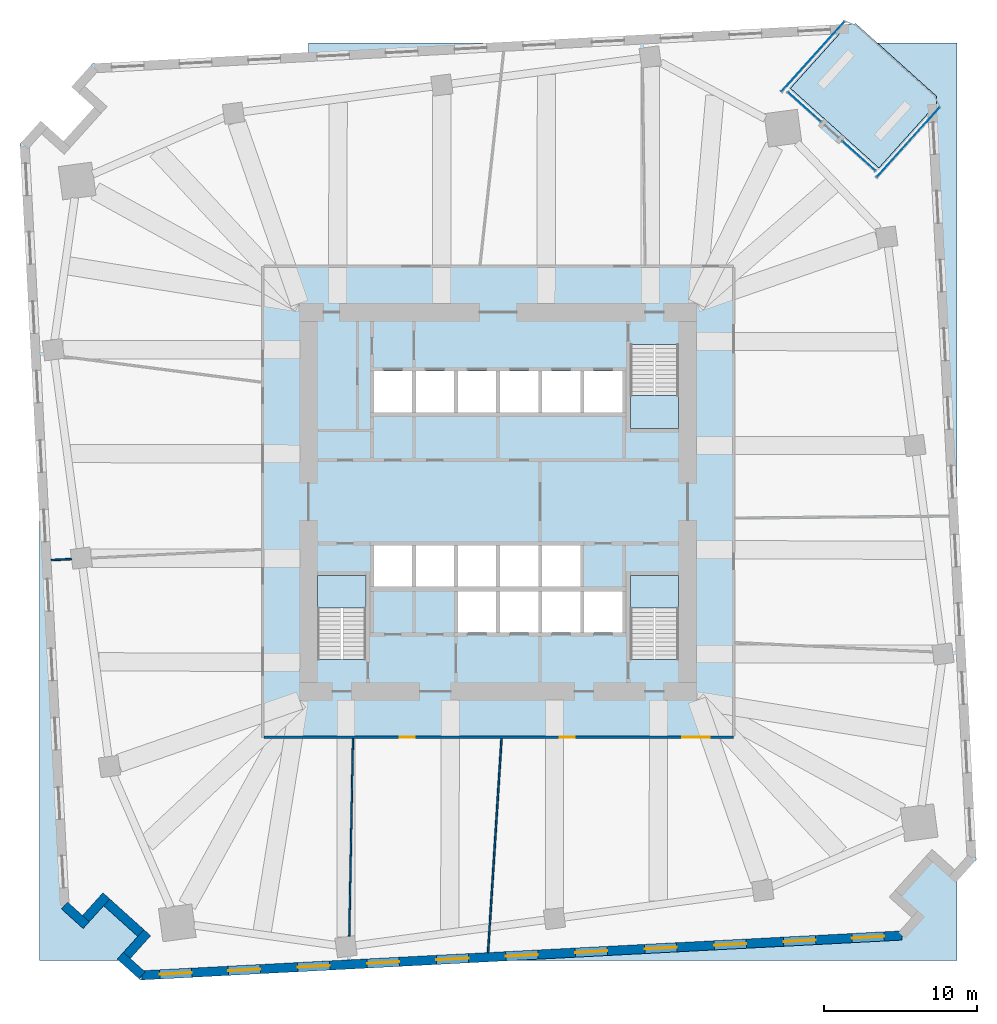
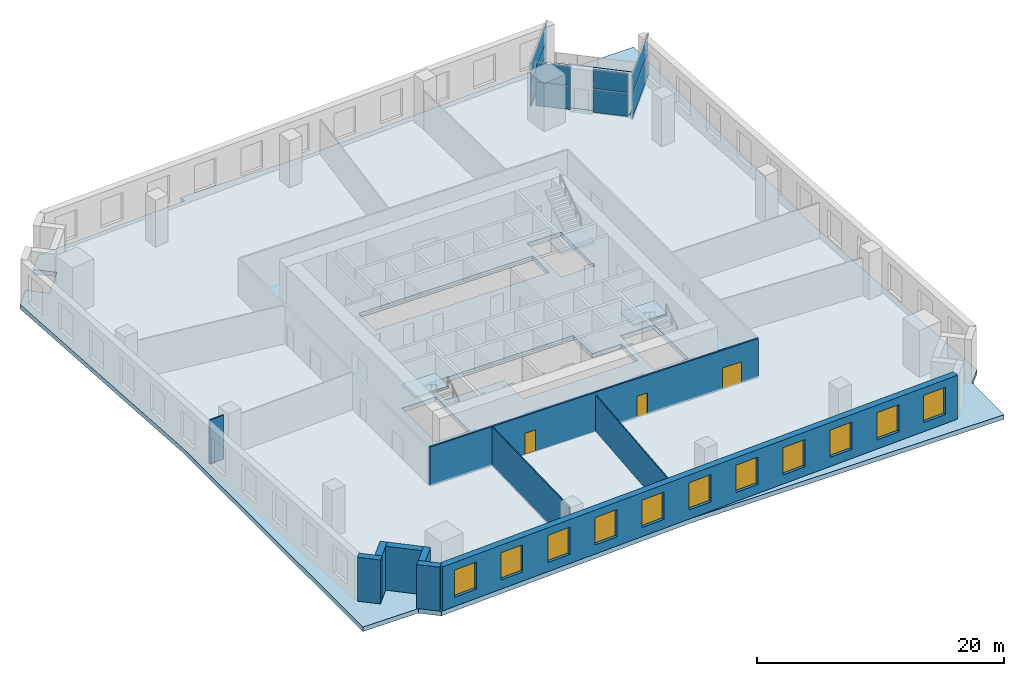
# One storey, part 3 of 10: 11 windows, 10 walls, 8 plates, 5 slabs, 3 doors, 14 openings, 7 elements without a shape of their own.
"""IFC4 building model written with IfcOpenShell, lengths in metres."""

from ifc_helpers import new_model, si_unit, direction, frame, frame_2d, origin, origin_2d, place, context, subcontext, project, spatial, polyline, rectangle, outline, extrude, material, layer, layer_set, type_object, element, fill, aggregate, save


model = new_model("IFC4")

# Units and contexts
model_context = context("Model", 3, precision=1e-05, world=origin(), true_north=direction((0.0, 1.0)))
body_context = subcontext(model_context, "Body", "Model", "MODEL_VIEW")
ifc_project = project(units=[si_unit("LENGTHUNIT", "METRE"), si_unit("AREAUNIT", "SQUARE_METRE"), si_unit("VOLUMEUNIT", "CUBIC_METRE"), si_unit("PLANEANGLEUNIT", "RADIAN"), si_unit("MASSUNIT", "GRAM", prefix="KILO")], contexts=[model_context])

# Site, building, storey
site_placement = place(None, origin())
site = spatial("IfcSite", under=ifc_project, at=site_placement, CompositionType="ELEMENT")
building_placement = place(site_placement, origin())
building = spatial("IfcBuilding", under=site, at=building_placement, Name="Dilmun Exchange Tower", CompositionType="ELEMENT")
storey_placement = place(building_placement, frame((0.0, 0.0, 22.5)))
storey = spatial("IfcBuildingStorey", under=building, at=storey_placement, Name="L05", CompositionType="ELEMENT", Elevation=22.5)

# Stair, slab
ifc_material_1 = material(Name="Concrete C40/50", Category="concrete")
stair_type = type_object("IfcStairType", Name="Exit stair 1500 half-turn", PredefinedType="HALF_TURN_STAIR", material=ifc_material_1)
stair_1_placement = place(storey_placement, origin())
stair_1 = element("IfcStair", 1, at=stair_1_placement, inside=storey, type_object=stair_type, Name="L05 Protected exit stair ST1", PredefinedType="HALF_TURN_STAIR")
ifc_layer_1 = layer(ifc_material_1, 0.199951171875)
ifc_layer_set_1 = layer_set([ifc_layer_1], Name="Concrete C40/50")
slab_type_1 = type_object("IfcSlabType", Name="Exit stair landing 200", PredefinedType="LANDING", material=ifc_layer_set_1)
slab_1_placement = place(storey_placement, frame((0.0, 0.0, 2.199951171875)))
slab_1 = element("IfcSlab", 2, at=slab_1_placement, type_object=slab_type_1, Name="ST1 landing 1", PredefinedType="LANDING", context=body_context, shape_type="SweptSolid", body=[
    extrude(outline(polyline([(8.64990234375, 6.93994140625), (8.64990234375, 4.800048828125), (11.800048828125, 4.800048828125), (11.800048828125, 6.93994140625), (8.64990234375, 6.93994140625)])), origin(), (0.0, 0.0, 1.0), 0.199951171875),
])
aggregate(stair_1, [slab_1])

stair_2_placement = place(storey_placement, origin())
stair_2 = element("IfcStair", 3, at=stair_2_placement, inside=storey, type_object=stair_type, Name="L05 Protected exit stair ST2", PredefinedType="HALF_TURN_STAIR")
slab_2_placement = place(storey_placement, frame((0.0, 0.0, 2.199951171875)))
slab_2 = element("IfcSlab", 4, at=slab_2_placement, type_object=slab_type_1, Name="ST2 landing 1", PredefinedType="LANDING", context=body_context, shape_type="SweptSolid", body=[
    extrude(outline(polyline([(-8.64990234375, -6.93994140625), (-8.64990234375, -4.800048828125), (-11.800048828125, -4.800048828125), (-11.800048828125, -6.93994140625), (-8.64990234375, -6.93994140625)])), origin(), (0.0, 0.0, 1.0), 0.199951171875),
])
aggregate(stair_2, [slab_2])

stair_3_placement = place(storey_placement, origin())
stair_3 = element("IfcStair", 5, at=stair_3_placement, inside=storey, type_object=stair_type, Name="L05 Protected exit stair ST3", PredefinedType="HALF_TURN_STAIR")
slab_3_placement = place(storey_placement, frame((0.0, 0.0, 2.199951171875)))
slab_3 = element("IfcSlab", 6, at=slab_3_placement, type_object=slab_type_1, Name="ST3 landing 1", PredefinedType="LANDING", context=body_context, shape_type="SweptSolid", body=[
    extrude(outline(polyline([(11.800048828125, -6.93994140625), (11.800048828125, -4.800048828125), (8.64990234375, -4.800048828125), (8.64990234375, -6.93994140625), (11.800048828125, -6.93994140625)])), origin(), (0.0, 0.0, 1.0), 0.199951171875),
])
aggregate(stair_3, [slab_3])

# Curtain wall, plates
ifc_material_2 = material(Name="Anodised aluminium and clear glass", Category="aluminium")
curtain_wall_type = type_object("IfcCurtainWallType", Name="Garden corner glazing", PredefinedType="NOTDEFINED", material=ifc_material_2)
curtain_wall_1_placement = place(storey_placement, origin())
curtain_wall_1 = element("IfcCurtainWall", 7, at=curtain_wall_1_placement, inside=storey, type_object=curtain_wall_type, Name="Garden corner glazing run GC1.1", PredefinedType="NOTDEFINED")
ifc_material_3 = material(Name="Clear glass", Category="glass")
ifc_layer_2 = layer(ifc_material_3, 0.028076171875)
ifc_layer_set_2 = layer_set([ifc_layer_2], Name="Clear glass")
plate_type = type_object("IfcPlateType", Name="Garden corner glazing glass panel 28", PredefinedType="CURTAIN_PANEL", material=ifc_layer_set_2)
plate_1_placement = place(storey_placement, frame((26.809814453125, 23.5146484375, 0.06005859375), z_axis=(0.0, 0.0, 1.0), x_axis=(-0.669124805296, -0.743150048737, 0.0)))
plate_1 = element("IfcPlate", 8, at=plate_1_placement, type_object=plate_type, Name="GC1.1 panel 1.1", PredefinedType="CURTAIN_PANEL", context=body_context, shape_type="SweptSolid", body=[
    extrude(rectangle(XDim=6.12646484375, YDim=0.028076171875, at=origin_2d()), origin(), (0.0, 0.0, 1.0), 2.31005859375),
])
plate_2_placement = place(storey_placement, frame((26.809814453125, 23.5146484375, 2.43017578125), z_axis=(0.0, 0.0, 1.0), x_axis=(-0.669124805296, -0.743150048737, 0.0)))
plate_2 = element("IfcPlate", 9, at=plate_2_placement, type_object=plate_type, Name="GC1.1 panel 1.2", PredefinedType="CURTAIN_PANEL", context=body_context, shape_type="SweptSolid", body=[
    extrude(rectangle(XDim=6.12646484375, YDim=0.028076171875, at=origin_2d()), origin(), (0.0, 0.0, 1.0), 1.860107421875),
])
aggregate(curtain_wall_1, [plate_1, plate_2])

curtain_wall_2_placement = place(storey_placement, origin())
curtain_wall_2 = element("IfcCurtainWall", 10, at=curtain_wall_2_placement, inside=storey, type_object=curtain_wall_type, Name="Garden corner glazing run GC2.1", PredefinedType="NOTDEFINED")
plate_3_placement = place(storey_placement, frame((23.587158203125, 22.617431640625, 0.06005859375), z_axis=(0.0, 0.0, 1.0), x_axis=(-0.743139419367, 0.669136610404, 0.0)))
plate_3 = element("IfcPlate", 11, at=plate_3_placement, type_object=plate_type, Name="GC2.1 panel 1.1", PredefinedType="CURTAIN_PANEL", context=body_context, shape_type="SweptSolid", body=[
    extrude(rectangle(XDim=2.869140625, YDim=0.028076171875, at=origin_2d()), origin(), (0.0, 0.0, 1.0), 2.31005859375),
])
plate_4_placement = place(storey_placement, frame((23.587158203125, 22.617431640625, 2.43017578125), z_axis=(0.0, 0.0, 1.0), x_axis=(-0.743139419367, 0.669136610404, 0.0)))
plate_4 = element("IfcPlate", 12, at=plate_4_placement, type_object=plate_type, Name="GC2.1 panel 1.2", PredefinedType="CURTAIN_PANEL", context=body_context, shape_type="SweptSolid", body=[
    extrude(rectangle(XDim=2.869140625, YDim=0.028076171875, at=origin_2d()), origin(), (0.0, 0.0, 1.0), 1.860107421875),
])
aggregate(curtain_wall_2, [plate_3, plate_4])

curtain_wall_3_placement = place(storey_placement, origin())
curtain_wall_3 = element("IfcCurtainWall", 13, at=curtain_wall_3_placement, inside=storey, type_object=curtain_wall_type, Name="Garden corner glazing run GC2.3", PredefinedType="NOTDEFINED")
plate_5_placement = place(storey_placement, frame((20.028076171875, 25.822021484375, 0.06005859375), z_axis=(0.0, 0.0, 1.0), x_axis=(-0.743156055484, 0.669118133962, 0.0)))
plate_5 = element("IfcPlate", 14, at=plate_5_placement, type_object=plate_type, Name="GC2.3 panel 1.1", PredefinedType="CURTAIN_PANEL", context=body_context, shape_type="SweptSolid", body=[
    extrude(rectangle(XDim=2.868896484375, YDim=0.028076171875, at=origin_2d()), origin(), (0.0, 0.0, 1.0), 2.31005859375),
])
plate_6_placement = place(storey_placement, frame((20.028076171875, 25.822021484375, 2.43017578125), z_axis=(0.0, 0.0, 1.0), x_axis=(-0.743156055484, 0.669118133962, 0.0)))
plate_6 = element("IfcPlate", 15, at=plate_6_placement, type_object=plate_type, Name="GC2.3 panel 1.2", PredefinedType="CURTAIN_PANEL", context=body_context, shape_type="SweptSolid", body=[
    extrude(rectangle(XDim=2.868896484375, YDim=0.028076171875, at=origin_2d()), origin(), (0.0, 0.0, 1.0), 1.860107421875),
])
aggregate(curtain_wall_3, [plate_5, plate_6])

curtain_wall_4_placement = place(storey_placement, origin())
curtain_wall_4 = element("IfcCurtainWall", 16, at=curtain_wall_4_placement, inside=storey, type_object=curtain_wall_type, Name="Garden corner glazing run GC3.1", PredefinedType="NOTDEFINED")
plate_7_placement = place(storey_placement, frame((20.58349609375, 29.120849609375, 0.06005859375), z_axis=(0.0, 0.0, 1.0), x_axis=(0.669124805296, 0.743150048737, 0.0)))
plate_7 = element("IfcPlate", 17, at=plate_7_placement, type_object=plate_type, Name="GC3.1 panel 1.1", PredefinedType="CURTAIN_PANEL", context=body_context, shape_type="SweptSolid", body=[
    extrude(rectangle(XDim=6.12646484375, YDim=0.028076171875, at=origin_2d()), origin(), (0.0, 0.0, 1.0), 2.31005859375),
])
plate_8_placement = place(storey_placement, frame((20.58349609375, 29.120849609375, 2.43017578125), z_axis=(0.0, 0.0, 1.0), x_axis=(0.669124805296, 0.743150048737, 0.0)))
plate_8 = element("IfcPlate", 18, at=plate_8_placement, type_object=plate_type, Name="GC3.1 panel 1.2", PredefinedType="CURTAIN_PANEL", context=body_context, shape_type="SweptSolid", body=[
    extrude(rectangle(XDim=6.12646484375, YDim=0.028076171875, at=origin_2d()), origin(), (0.0, 0.0, 1.0), 1.860107421875),
])
aggregate(curtain_wall_4, [plate_7, plate_8])

# Slabs
ifc_layer_3 = layer(ifc_material_1, 0.449951171875)
ifc_layer_set_3 = layer_set([ifc_layer_3], Name="Concrete C40/50")
slab_type_2 = type_object("IfcSlabType", Name="RC floor slab 450", PredefinedType="FLOOR", material=ifc_layer_set_3)
slab_4_placement = place(storey_placement, frame((0.0, 0.0, -0.449951171875)))
element("IfcSlab", 19, at=slab_4_placement, inside=storey, type_object=slab_type_2, Name="Floor slab", PredefinedType="FLOOR", context=body_context, shape_type="SweptSolid", body=[
    extrude(outline(polyline([(-30.0, -0.785888671875), (-31.267333984375, 23.395751953125), (-29.9052734375, 24.908447265625), (-28.4189453125, 23.570068359375), (-26.41162109375, 25.799560546875), (-27.89794921875, 27.1376953125), (-26.535888671875, 28.650390625), (-12.394287109375, 29.3916015625), (-12.41015625, 30.0), (-0.78564453125, 30.0), (22.896240234375, 31.2412109375), (19.1181640625, 27.044921875), (24.8984375, 21.84033203125), (28.6767578125, 26.03662109375), (28.650390625, 26.535888671875), (24.802978515625, 30.0), (30.0, 30.0), (30.0, 0.78564453125), (31.267333984375, -23.395751953125), (30.0, -24.802978515625), (30.0, -30.0), (0.785888671875, -30.0), (-23.395751953125, -31.267333984375), (-24.802978515625, -30.0), (-30.0, -30.0), (-30.0, -0.785888671875)]), holes=[polyline([(8.64990234375, 10.294921875), (8.64990234375, 4.800048828125), (11.800048828125, 4.800048828125), (11.800048828125, 10.294921875), (8.64990234375, 10.294921875)]), polyline([(11.800048828125, -4.800048828125), (8.64990234375, -4.800048828125), (8.64990234375, -10.294921875), (11.800048828125, -10.294921875), (11.800048828125, -4.800048828125)]), polyline([(-8.125, -2.85009765625), (-8.125, -5.550048828125), (-2.625, -5.550048828125), (-2.625, -8.550048828125), (8.125, -8.550048828125), (8.125, -5.85009765625), (5.375, -5.85009765625), (5.375, -2.85009765625), (-8.125, -2.85009765625)]), polyline([(-8.125, 5.85009765625), (8.125, 5.85009765625), (8.125, 8.550048828125), (-8.125, 8.550048828125), (-8.125, 5.85009765625)]), polyline([(-8.64990234375, -4.800048828125), (-11.800048828125, -4.800048828125), (-11.800048828125, -10.294921875), (-8.64990234375, -10.294921875), (-8.64990234375, -4.800048828125)])]), origin(), (0.0, 0.0, 1.0), 0.449951171875),
])
ifc_layer_4 = layer(ifc_material_1, 0.300048828125)
ifc_layer_set_4 = layer_set([ifc_layer_4], Name="Concrete C40/50")
slab_type_3 = type_object("IfcSlabType", Name="RC garden terrace slab 300", PredefinedType="FLOOR", material=ifc_layer_set_4)
slab_5_placement = place(storey_placement, frame((0.0, 0.0, -0.300048828125)))
element("IfcSlab", 20, at=slab_5_placement, inside=storey, type_object=slab_type_3, Name="Garden terrace slab", PredefinedType="FLOOR", context=body_context, shape_type="SweptSolid", body=[
    extrude(outline(polyline([(19.1181640625, 27.044921875), (22.896240234375, 31.2412109375), (23.395751953125, 31.267333984375), (28.650390625, 26.535888671875), (28.6767578125, 26.03662109375), (24.8984375, 21.84033203125), (19.1181640625, 27.044921875)])), origin(), (0.0, 0.0, 1.0), 0.300048828125),
])

# Wall, openings, doors
ifc_material_4 = material(Name="Corridor wall 150")
ifc_layer_5 = layer(ifc_material_4, 0.14990234375)
ifc_layer_set_5 = layer_set([ifc_layer_5], Name="Corridor wall 150")
wall_type_1 = type_object("IfcWallType", Name="Corridor wall 150", PredefinedType="PARTITIONING", material=ifc_layer_set_5)
wall_1_placement = place(storey_placement, frame((-15.324951171875, -15.39990234375, 0.0), z_axis=(0.0, 0.0, 1.0), x_axis=(1.0, 0.0, 0.0)))
wall_1 = element("IfcWall", 21, at=wall_1_placement, inside=storey, type_object=wall_type_1, Name="Corridor wall", PredefinedType="PARTITIONING", context=body_context, shape_type="SweptSolid", body=[
    extrude(rectangle(XDim=30.724853515625, YDim=0.14990234375, at=frame_2d((15.3623046875, 0.0))), origin(), (0.0, 0.0, 1.0), 3.85009765625),
])
opening_1_placement = place(wall_1_placement, frame((8.88037109375, 0.0, 0.0)))
opening_1 = element("IfcOpeningElement", 22, at=opening_1_placement, cuts=wall_1, Name="Opening TF05-D07", PredefinedType="OPENING", context=body_context, shape_type="SweptSolid", body=[
    extrude(rectangle(XDim=1.0, YDim=2.10009765625, at=frame_2d((0.5, 1.050048828125))), frame((0.0, 0.0849609375, 0.0), z_axis=(0.0, -1.0, 0.0), x_axis=(1.0, 0.0, 0.0)), (0.0, 0.0, 1.0), 0.169921875),
])
opening_2_placement = place(wall_1_placement, frame((27.348388671875, 0.0, 0.0)))
opening_2 = element("IfcOpeningElement", 23, at=opening_2_placement, cuts=wall_1, Name="Opening TF05-D09", PredefinedType="OPENING", context=body_context, shape_type="SweptSolid", body=[
    extrude(rectangle(XDim=1.800048828125, YDim=2.10009765625, at=frame_2d((0.89990234375, 1.050048828125))), frame((0.0, 0.0849609375, 0.0), z_axis=(0.0, -1.0, 0.0), x_axis=(1.0, 0.0, 0.0)), (0.0, 0.0, 1.0), 0.169921875),
])
opening_3_placement = place(wall_1_placement, frame((19.348388671875, 0.0, 0.0)))
opening_3 = element("IfcOpeningElement", 24, at=opening_3_placement, cuts=wall_1, Name="Opening TF05-D10", PredefinedType="OPENING", context=body_context, shape_type="SweptSolid", body=[
    extrude(rectangle(XDim=1.0, YDim=2.10009765625, at=frame_2d((0.5, 1.050048828125))), frame((0.0, 0.0849609375, 0.0), z_axis=(0.0, -1.0, 0.0), x_axis=(1.0, 0.0, 0.0)), (0.0, 0.0, 1.0), 0.169921875),
])
ifc_material_5 = material(Name="Fire door 1000 x 2100")
door_type_1 = type_object("IfcDoorType", Name="Fire door 1000 x 2100", OperationType="NOTDEFINED", PredefinedType="DOOR", material=ifc_material_5)
door_1_placement = place(opening_1_placement, frame((1.0, 0.0, 0.0), z_axis=(0.0, 0.0, 1.0), x_axis=(-1.0, 0.0, 0.0)))
door_1 = element("IfcDoor", 25, at=door_1_placement, inside=storey, type_object=door_type_1, Name="Door TF05-D07", OperationType="SINGLE_SWING_LEFT", OverallHeight=2.10009765625, OverallWidth=1.0, PredefinedType="DOOR", context=body_context, shape_type="SweptSolid", body=[
    extrude(rectangle(XDim=1.0, YDim=2.10009765625, at=frame_2d((0.5, 1.050048828125))), frame((0.0, 0.02490234375, 0.0), z_axis=(0.0, -1.0, 0.0), x_axis=(1.0, 0.0, 0.0)), (0.0, 0.0, 1.0), 0.050048828125),
])
fill(opening_1, door_1)
door_2_placement = place(opening_3_placement, frame((1.0, 0.0, 0.0), z_axis=(0.0, 0.0, 1.0), x_axis=(-1.0, 0.0, 0.0)))
door_2 = element("IfcDoor", 26, at=door_2_placement, inside=storey, type_object=door_type_1, Name="Door TF05-D10", OperationType="SINGLE_SWING_RIGHT", OverallHeight=2.10009765625, OverallWidth=1.0, PredefinedType="DOOR", context=body_context, shape_type="SweptSolid", body=[
    extrude(rectangle(XDim=1.0, YDim=2.10009765625, at=frame_2d((0.5, 1.050048828125))), frame((0.0, 0.02490234375, 0.0), z_axis=(0.0, -1.0, 0.0), x_axis=(1.0, 0.0, 0.0)), (0.0, 0.0, 1.0), 0.050048828125),
])
fill(opening_3, door_2)
ifc_material_6 = material(Name="Fire door pair 1800 x 2100")
door_type_2 = type_object("IfcDoorType", Name="Fire door pair 1800 x 2100", OperationType="NOTDEFINED", PredefinedType="DOOR", material=ifc_material_6)
door_3_placement = place(opening_2_placement, frame((1.800048828125, 0.0, 0.0), z_axis=(0.0, 0.0, 1.0), x_axis=(-1.0, 0.0, 0.0)))
door_3 = element("IfcDoor", 27, at=door_3_placement, inside=storey, type_object=door_type_2, Name="Door TF05-D09", OperationType="DOUBLE_DOOR_SINGLE_SWING", OverallHeight=2.10009765625, OverallWidth=1.800048828125, PredefinedType="DOOR", context=body_context, shape_type="SweptSolid", body=[
    extrude(rectangle(XDim=1.800048828125, YDim=2.10009765625, at=frame_2d((0.89990234375, 1.050048828125))), frame((0.0, 0.02490234375, 0.0), z_axis=(0.0, -1.0, 0.0), x_axis=(1.0, 0.0, 0.0)), (0.0, 0.0, 1.0), 0.050048828125),
])
fill(opening_2, door_3)

# Walls
ifc_material_7 = material(Name="Partition 100")
ifc_layer_6 = layer(ifc_material_7, 0.10009765625)
ifc_layer_set_6 = layer_set([ifc_layer_6], Name="Partition 100")
wall_type_2 = type_object("IfcWallType", Name="Partition 100", PredefinedType="PARTITIONING", material=ifc_layer_set_6)
wall_2_placement = place(storey_placement, frame((-29.23876953125, -3.809326171875, 0.0), z_axis=(0.0, 0.0, 1.0), x_axis=(0.998716183263, 0.050655555363, 0.0)))
element("IfcWall", 28, at=wall_2_placement, inside=storey, type_object=wall_type_2, Name="Partition", PredefinedType="PARTITIONING", context=body_context, shape_type="SweptSolid", body=[
    extrude(rectangle(XDim=1.33984375, YDim=0.10009765625, at=frame_2d((0.669921875, 0.0))), origin(), (0.0, 0.0, 1.0), 4.35009765625),
])
wall_3_placement = place(storey_placement, frame((-9.73779296875, -28.4091796875, 0.0), z_axis=(0.0, 0.0, 1.0), x_axis=(0.01874139866, 0.999824364564, 0.0)))
element("IfcWall", 29, at=wall_3_placement, inside=storey, type_object=wall_type_2, Name="Partition", PredefinedType="PARTITIONING", context=body_context, shape_type="SweptSolid", body=[
    extrude(rectangle(XDim=12.935546875, YDim=0.10009765625, at=frame_2d((6.4677734375, 0.0))), origin(), (0.0, 0.0, 1.0), 3.85009765625),
])
wall_4_placement = place(storey_placement, frame((-0.661865234375, -29.472900390625, 0.0), z_axis=(0.0, 0.0, 1.0), x_axis=(0.06297334424, 0.99801520926, 0.0)))
element("IfcWall", 30, at=wall_4_placement, inside=storey, type_object=wall_type_2, Name="Partition", PredefinedType="PARTITIONING", context=body_context, shape_type="SweptSolid", body=[
    extrude(rectangle(XDim=14.022705078125, YDim=0.10009765625, at=frame_2d((7.01123046875, 0.0))), origin(), (0.0, 0.0, 1.0), 3.550048828125),
])
ifc_material_8 = material(Name="Precast concrete C50/60", Category="concrete")
ifc_layer_7 = layer(ifc_material_8, 0.60009765625)
ifc_layer_set_7 = layer_set([ifc_layer_7], Name="Precast concrete C50/60")
wall_type_3 = type_object("IfcWallType", Name="Precast stone-clad wall 600", PredefinedType="STANDARD", material=ifc_layer_set_7)
wall_5_placement = place(storey_placement, frame((-28.357421875, -26.39599609375, 0.0), z_axis=(0.0, 0.0, 1.0), x_axis=(0.743179806334, -0.669091754139, 0.0)))
element("IfcWall", 31, at=wall_5_placement, inside=storey, type_object=wall_type_3, Name="Facade wall L05-10", PredefinedType="STANDARD", context=body_context, shape_type="SweptSolid", body=[
    extrude(rectangle(XDim=1.911376953125, YDim=0.60009765625, at=frame_2d((0.95556640625, 0.0))), origin(), (0.0, 0.0, 1.0), 4.35009765625),
])
wall_6_placement = place(storey_placement, frame((-26.959228515625, -27.251220703125, 0.0), z_axis=(0.0, 0.0, 1.0), x_axis=(0.669086121991, 0.743184876971, 0.0)))
element("IfcWall", 32, at=wall_6_placement, inside=storey, type_object=wall_type_3, Name="Facade wall L05-11", PredefinedType="STANDARD", context=body_context, shape_type="SweptSolid", body=[
    extrude(rectangle(XDim=2.0, YDim=0.60009765625, at=frame_2d((1.0, 0.0))), origin(), (0.0, 0.0, 1.0), 4.35009765625),
])
wall_7_placement = place(storey_placement, frame((-25.598876953125, -26.188720703125, 0.0), z_axis=(0.0, 0.0, 1.0), x_axis=(0.743164643271, -0.669108595814, 0.0)))
element("IfcWall", 33, at=wall_7_placement, inside=storey, type_object=wall_type_3, Name="Facade wall L05-12", PredefinedType="STANDARD", context=body_context, shape_type="SweptSolid", body=[
    extrude(rectangle(XDim=3.0, YDim=0.60009765625, at=frame_2d((1.5, 0.0))), origin(), (0.0, 0.0, 1.0), 4.35009765625),
])
wall_8_placement = place(storey_placement, frame((-22.94580078125, -28.173828125, 0.0), z_axis=(0.0, 0.0, 1.0), x_axis=(-0.669086121991, -0.743184876971, 0.0)))
element("IfcWall", 34, at=wall_8_placement, inside=storey, type_object=wall_type_3, Name="Facade wall L05-13", PredefinedType="STANDARD", context=body_context, shape_type="SweptSolid", body=[
    extrude(rectangle(XDim=2.0, YDim=0.60009765625, at=frame_2d((1.0, 0.0))), origin(), (0.0, 0.0, 1.0), 4.35009765625),
])
wall_9_placement = place(storey_placement, frame((-24.70751953125, -29.682373046875, 0.0), z_axis=(0.0, 0.0, 1.0), x_axis=(0.743122611951, -0.669155276156, 0.0)))
element("IfcWall", 35, at=wall_9_placement, inside=storey, type_object=wall_type_3, Name="Facade wall L05-14", PredefinedType="STANDARD", context=body_context, shape_type="SweptSolid", body=[
    extrude(rectangle(XDim=1.9111328125, YDim=0.60009765625, at=frame_2d((0.95556640625, 0.0))), origin(), (0.0, 0.0, 1.0), 4.35009765625),
])

# Wall, openings, windows
wall_10_placement = place(storey_placement, frame((-23.287353515625, -30.961181640625, 0.0), z_axis=(0.0, 0.0, 1.0), x_axis=(0.998629570739, 0.052335269612, 0.0)))
wall_10 = element("IfcWall", 36, at=wall_10_placement, inside=storey, type_object=wall_type_3, Name="Facade wall L05-15", PredefinedType="STANDARD", context=body_context, shape_type="SweptSolid", body=[
    extrude(rectangle(XDim=49.75146484375, YDim=0.60009765625, at=frame_2d((24.875732421875, 0.0))), origin(), (0.0, 0.0, 1.0), 4.35009765625),
])
opening_4_placement = place(wall_10_placement, frame((1.16064453125, 0.0, 0.89990234375)))
opening_4 = element("IfcOpeningElement", 37, at=opening_4_placement, cuts=wall_10, Name="Opening W210-270", PredefinedType="OPENING", context=body_context, shape_type="SweptSolid", body=[
    extrude(rectangle(XDim=2.10009765625, YDim=2.699951171875, at=frame_2d((1.050048828125, 1.35009765625))), frame((0.0, 0.31005859375, 0.0), z_axis=(0.0, -1.0, 0.0), x_axis=(1.0, 0.0, 0.0)), (0.0, 0.0, 1.0), 0.6201171875),
])
opening_5_placement = place(wall_10_placement, frame((5.643798828125, 0.0, 0.89990234375)))
opening_5 = element("IfcOpeningElement", 38, at=opening_5_placement, cuts=wall_10, Name="Opening W210-270", PredefinedType="OPENING", context=body_context, shape_type="SweptSolid", body=[
    extrude(rectangle(XDim=2.10009765625, YDim=2.699951171875, at=frame_2d((1.050048828125, 1.35009765625))), frame((0.0, 0.31005859375, 0.0), z_axis=(0.0, -1.0, 0.0), x_axis=(1.0, 0.0, 0.0)), (0.0, 0.0, 1.0), 0.6201171875),
])
opening_6_placement = place(wall_10_placement, frame((10.189453125, 0.0, 0.89990234375)))
opening_6 = element("IfcOpeningElement", 39, at=opening_6_placement, cuts=wall_10, Name="Opening W210-270", PredefinedType="OPENING", context=body_context, shape_type="SweptSolid", body=[
    extrude(rectangle(XDim=2.10009765625, YDim=2.699951171875, at=frame_2d((1.050048828125, 1.35009765625))), frame((0.0, 0.31005859375, 0.0), z_axis=(0.0, -1.0, 0.0), x_axis=(1.0, 0.0, 0.0)), (0.0, 0.0, 1.0), 0.6201171875),
])
opening_7_placement = place(wall_10_placement, frame((14.73486328125, 0.0, 0.89990234375)))
opening_7 = element("IfcOpeningElement", 40, at=opening_7_placement, cuts=wall_10, Name="Opening W210-270", PredefinedType="OPENING", context=body_context, shape_type="SweptSolid", body=[
    extrude(rectangle(XDim=2.10009765625, YDim=2.699951171875, at=frame_2d((1.050048828125, 1.35009765625))), frame((0.0, 0.31005859375, 0.0), z_axis=(0.0, -1.0, 0.0), x_axis=(1.0, 0.0, 0.0)), (0.0, 0.0, 1.0), 0.6201171875),
])
opening_8_placement = place(wall_10_placement, frame((19.2802734375, 0.0, 0.89990234375)))
opening_8 = element("IfcOpeningElement", 41, at=opening_8_placement, cuts=wall_10, Name="Opening W210-270", PredefinedType="OPENING", context=body_context, shape_type="SweptSolid", body=[
    extrude(rectangle(XDim=2.10009765625, YDim=2.699951171875, at=frame_2d((1.050048828125, 1.35009765625))), frame((0.0, 0.31005859375, 0.0), z_axis=(0.0, -1.0, 0.0), x_axis=(1.0, 0.0, 0.0)), (0.0, 0.0, 1.0), 0.6201171875),
])
opening_9_placement = place(wall_10_placement, frame((23.82568359375, 0.0, 0.89990234375)))
opening_9 = element("IfcOpeningElement", 42, at=opening_9_placement, cuts=wall_10, Name="Opening W210-270", PredefinedType="OPENING", context=body_context, shape_type="SweptSolid", body=[
    extrude(rectangle(XDim=2.10009765625, YDim=2.699951171875, at=frame_2d((1.050048828125, 1.35009765625))), frame((0.0, 0.31005859375, 0.0), z_axis=(0.0, -1.0, 0.0), x_axis=(1.0, 0.0, 0.0)), (0.0, 0.0, 1.0), 0.6201171875),
])
opening_10_placement = place(wall_10_placement, frame((28.37109375, 0.0, 0.89990234375)))
opening_10 = element("IfcOpeningElement", 43, at=opening_10_placement, cuts=wall_10, Name="Opening W210-270", PredefinedType="OPENING", context=body_context, shape_type="SweptSolid", body=[
    extrude(rectangle(XDim=2.10009765625, YDim=2.699951171875, at=frame_2d((1.050048828125, 1.35009765625))), frame((0.0, 0.31005859375, 0.0), z_axis=(0.0, -1.0, 0.0), x_axis=(1.0, 0.0, 0.0)), (0.0, 0.0, 1.0), 0.6201171875),
])
opening_11_placement = place(wall_10_placement, frame((32.91650390625, 0.0, 0.89990234375)))
opening_11 = element("IfcOpeningElement", 44, at=opening_11_placement, cuts=wall_10, Name="Opening W210-270", PredefinedType="OPENING", context=body_context, shape_type="SweptSolid", body=[
    extrude(rectangle(XDim=2.10009765625, YDim=2.699951171875, at=frame_2d((1.050048828125, 1.35009765625))), frame((0.0, 0.31005859375, 0.0), z_axis=(0.0, -1.0, 0.0), x_axis=(1.0, 0.0, 0.0)), (0.0, 0.0, 1.0), 0.6201171875),
])
opening_12_placement = place(wall_10_placement, frame((37.462158203125, 0.0, 0.89990234375)))
opening_12 = element("IfcOpeningElement", 45, at=opening_12_placement, cuts=wall_10, Name="Opening W210-270", PredefinedType="OPENING", context=body_context, shape_type="SweptSolid", body=[
    extrude(rectangle(XDim=2.10009765625, YDim=2.699951171875, at=frame_2d((1.050048828125, 1.35009765625))), frame((0.0, 0.31005859375, 0.0), z_axis=(0.0, -1.0, 0.0), x_axis=(1.0, 0.0, 0.0)), (0.0, 0.0, 1.0), 0.6201171875),
])
opening_13_placement = place(wall_10_placement, frame((42.007568359375, 0.0, 0.89990234375)))
opening_13 = element("IfcOpeningElement", 46, at=opening_13_placement, cuts=wall_10, Name="Opening W210-270", PredefinedType="OPENING", context=body_context, shape_type="SweptSolid", body=[
    extrude(rectangle(XDim=2.10009765625, YDim=2.699951171875, at=frame_2d((1.050048828125, 1.35009765625))), frame((0.0, 0.31005859375, 0.0), z_axis=(0.0, -1.0, 0.0), x_axis=(1.0, 0.0, 0.0)), (0.0, 0.0, 1.0), 0.6201171875),
])
opening_14_placement = place(wall_10_placement, frame((46.490966796875, 0.0, 0.89990234375)))
opening_14 = element("IfcOpeningElement", 47, at=opening_14_placement, cuts=wall_10, Name="Opening W210-270", PredefinedType="OPENING", context=body_context, shape_type="SweptSolid", body=[
    extrude(rectangle(XDim=2.10009765625, YDim=2.699951171875, at=frame_2d((1.050048828125, 1.35009765625))), frame((0.0, 0.31005859375, 0.0), z_axis=(0.0, -1.0, 0.0), x_axis=(1.0, 0.0, 0.0)), (0.0, 0.0, 1.0), 0.6201171875),
])
ifc_material_9 = material(Name="Clear low-emissivity glass in aluminium frame", Category="aluminium")
window_type = type_object("IfcWindowType", Name="Punched window 2100 x 2700", PartitioningType="DOUBLE_PANEL_VERTICAL", PredefinedType="WINDOW", material=ifc_material_9)
window_1_placement = place(opening_4_placement, origin())
window_1 = element("IfcWindow", 48, at=window_1_placement, inside=storey, type_object=window_type, Name="Window 16.1", OverallHeight=2.699951171875, OverallWidth=2.10009765625, PartitioningType="SINGLE_PANEL", PredefinedType="WINDOW", context=body_context, shape_type="SweptSolid", body=[
    extrude(rectangle(XDim=2.10009765625, YDim=2.699951171875, at=frame_2d((1.050048828125, 1.35009765625))), frame((0.0, 0.030029296875, 0.0), z_axis=(0.0, -1.0, 0.0), x_axis=(1.0, 0.0, 0.0)), (0.0, 0.0, 1.0), 0.06005859375),
])
fill(opening_4, window_1)
window_2_placement = place(opening_5_placement, origin())
window_2 = element("IfcWindow", 49, at=window_2_placement, inside=storey, type_object=window_type, Name="Window 16.2", OverallHeight=2.699951171875, OverallWidth=2.10009765625, PartitioningType="SINGLE_PANEL", PredefinedType="WINDOW", context=body_context, shape_type="SweptSolid", body=[
    extrude(rectangle(XDim=2.10009765625, YDim=2.699951171875, at=frame_2d((1.050048828125, 1.35009765625))), frame((0.0, 0.030029296875, 0.0), z_axis=(0.0, -1.0, 0.0), x_axis=(1.0, 0.0, 0.0)), (0.0, 0.0, 1.0), 0.06005859375),
])
fill(opening_5, window_2)
window_3_placement = place(opening_6_placement, origin())
window_3 = element("IfcWindow", 50, at=window_3_placement, inside=storey, type_object=window_type, Name="Window 16.3", OverallHeight=2.699951171875, OverallWidth=2.10009765625, PartitioningType="SINGLE_PANEL", PredefinedType="WINDOW", context=body_context, shape_type="SweptSolid", body=[
    extrude(rectangle(XDim=2.10009765625, YDim=2.699951171875, at=frame_2d((1.050048828125, 1.35009765625))), frame((0.0, 0.030029296875, 0.0), z_axis=(0.0, -1.0, 0.0), x_axis=(1.0, 0.0, 0.0)), (0.0, 0.0, 1.0), 0.06005859375),
])
fill(opening_6, window_3)
window_4_placement = place(opening_7_placement, origin())
window_4 = element("IfcWindow", 51, at=window_4_placement, inside=storey, type_object=window_type, Name="Window 16.4", OverallHeight=2.699951171875, OverallWidth=2.10009765625, PartitioningType="SINGLE_PANEL", PredefinedType="WINDOW", context=body_context, shape_type="SweptSolid", body=[
    extrude(rectangle(XDim=2.10009765625, YDim=2.699951171875, at=frame_2d((1.050048828125, 1.35009765625))), frame((0.0, 0.030029296875, 0.0), z_axis=(0.0, -1.0, 0.0), x_axis=(1.0, 0.0, 0.0)), (0.0, 0.0, 1.0), 0.06005859375),
])
fill(opening_7, window_4)
window_5_placement = place(opening_8_placement, origin())
window_5 = element("IfcWindow", 52, at=window_5_placement, inside=storey, type_object=window_type, Name="Window 16.5", OverallHeight=2.699951171875, OverallWidth=2.10009765625, PartitioningType="SINGLE_PANEL", PredefinedType="WINDOW", context=body_context, shape_type="SweptSolid", body=[
    extrude(rectangle(XDim=2.10009765625, YDim=2.699951171875, at=frame_2d((1.050048828125, 1.35009765625))), frame((0.0, 0.030029296875, 0.0), z_axis=(0.0, -1.0, 0.0), x_axis=(1.0, 0.0, 0.0)), (0.0, 0.0, 1.0), 0.06005859375),
])
fill(opening_8, window_5)
window_6_placement = place(opening_9_placement, origin())
window_6 = element("IfcWindow", 53, at=window_6_placement, inside=storey, type_object=window_type, Name="Window 16.6", OverallHeight=2.699951171875, OverallWidth=2.10009765625, PartitioningType="SINGLE_PANEL", PredefinedType="WINDOW", context=body_context, shape_type="SweptSolid", body=[
    extrude(rectangle(XDim=2.10009765625, YDim=2.699951171875, at=frame_2d((1.050048828125, 1.35009765625))), frame((0.0, 0.030029296875, 0.0), z_axis=(0.0, -1.0, 0.0), x_axis=(1.0, 0.0, 0.0)), (0.0, 0.0, 1.0), 0.06005859375),
])
fill(opening_9, window_6)
window_7_placement = place(opening_10_placement, origin())
window_7 = element("IfcWindow", 54, at=window_7_placement, inside=storey, type_object=window_type, Name="Window 16.7", OverallHeight=2.699951171875, OverallWidth=2.10009765625, PartitioningType="SINGLE_PANEL", PredefinedType="WINDOW", context=body_context, shape_type="SweptSolid", body=[
    extrude(rectangle(XDim=2.10009765625, YDim=2.699951171875, at=frame_2d((1.050048828125, 1.35009765625))), frame((0.0, 0.030029296875, 0.0), z_axis=(0.0, -1.0, 0.0), x_axis=(1.0, 0.0, 0.0)), (0.0, 0.0, 1.0), 0.06005859375),
])
fill(opening_10, window_7)
window_8_placement = place(opening_11_placement, origin())
window_8 = element("IfcWindow", 55, at=window_8_placement, inside=storey, type_object=window_type, Name="Window 16.8", OverallHeight=2.699951171875, OverallWidth=2.10009765625, PartitioningType="SINGLE_PANEL", PredefinedType="WINDOW", context=body_context, shape_type="SweptSolid", body=[
    extrude(rectangle(XDim=2.10009765625, YDim=2.699951171875, at=frame_2d((1.050048828125, 1.35009765625))), frame((0.0, 0.030029296875, 0.0), z_axis=(0.0, -1.0, 0.0), x_axis=(1.0, 0.0, 0.0)), (0.0, 0.0, 1.0), 0.06005859375),
])
fill(opening_11, window_8)
window_9_placement = place(opening_12_placement, origin())
window_9 = element("IfcWindow", 56, at=window_9_placement, inside=storey, type_object=window_type, Name="Window 16.9", OverallHeight=2.699951171875, OverallWidth=2.10009765625, PartitioningType="SINGLE_PANEL", PredefinedType="WINDOW", context=body_context, shape_type="SweptSolid", body=[
    extrude(rectangle(XDim=2.10009765625, YDim=2.699951171875, at=frame_2d((1.050048828125, 1.35009765625))), frame((0.0, 0.030029296875, 0.0), z_axis=(0.0, -1.0, 0.0), x_axis=(1.0, 0.0, 0.0)), (0.0, 0.0, 1.0), 0.06005859375),
])
fill(opening_12, window_9)
window_10_placement = place(opening_13_placement, origin())
window_10 = element("IfcWindow", 57, at=window_10_placement, inside=storey, type_object=window_type, Name="Window 16.10", OverallHeight=2.699951171875, OverallWidth=2.10009765625, PartitioningType="SINGLE_PANEL", PredefinedType="WINDOW", context=body_context, shape_type="SweptSolid", body=[
    extrude(rectangle(XDim=2.10009765625, YDim=2.699951171875, at=frame_2d((1.050048828125, 1.35009765625))), frame((0.0, 0.030029296875, 0.0), z_axis=(0.0, -1.0, 0.0), x_axis=(1.0, 0.0, 0.0)), (0.0, 0.0, 1.0), 0.06005859375),
])
fill(opening_13, window_10)
window_11_placement = place(opening_14_placement, origin())
window_11 = element("IfcWindow", 58, at=window_11_placement, inside=storey, type_object=window_type, Name="Window 16.11", OverallHeight=2.699951171875, OverallWidth=2.10009765625, PartitioningType="SINGLE_PANEL", PredefinedType="WINDOW", context=body_context, shape_type="SweptSolid", body=[
    extrude(rectangle(XDim=2.10009765625, YDim=2.699951171875, at=frame_2d((1.050048828125, 1.35009765625))), frame((0.0, 0.030029296875, 0.0), z_axis=(0.0, -1.0, 0.0), x_axis=(1.0, 0.0, 0.0)), (0.0, 0.0, 1.0), 0.06005859375),
])
fill(opening_14, window_11)

save(model, "model.ifc")
